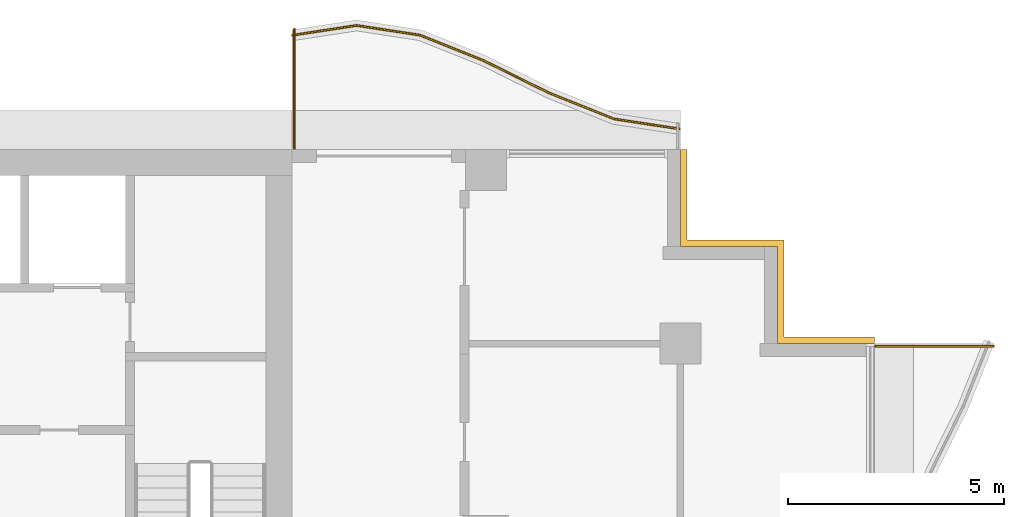
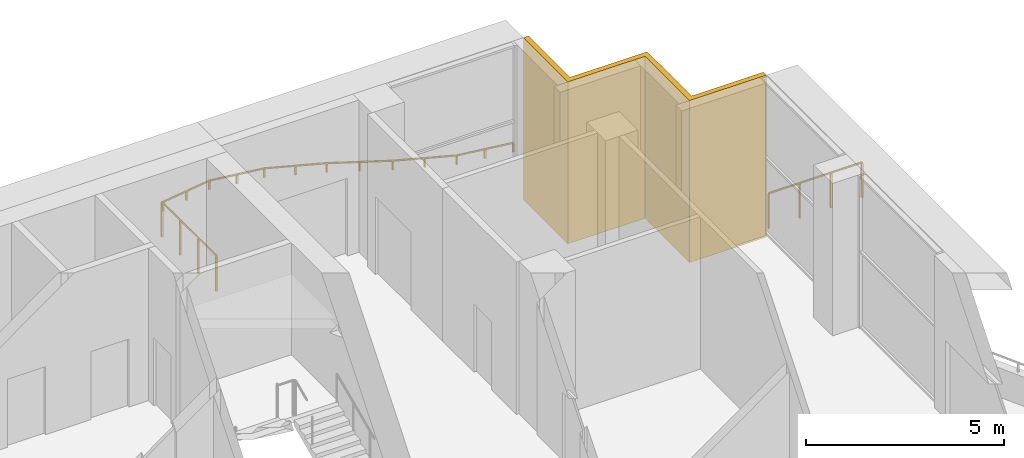
# One storey, part 15 of 15: 3 railings, 1 shading device.
"""IFC4 building model written with IfcOpenShell, lengths in metres."""

from ifc_helpers import new_model, si_unit, direction, frame, origin, origin_2d, place, context, subcontext, project, spatial, polyline, rectangle, outline, extrude, material, layer, layer_set, type_object, element, save


model = new_model("IFC4")

# Units and contexts
model_context = context("Model", 3, precision=1e-05, world=origin(), true_north=direction((0.0, 1.0)))
body_context = subcontext(model_context, "Body", "Model", "MODEL_VIEW")
ifc_project = project(units=[si_unit("LENGTHUNIT", "METRE"), si_unit("AREAUNIT", "SQUARE_METRE"), si_unit("VOLUMEUNIT", "CUBIC_METRE"), si_unit("PLANEANGLEUNIT", "RADIAN"), si_unit("MASSUNIT", "GRAM", prefix="KILO")], contexts=[model_context])

# Site, building, storey
site_placement = place(None, origin())
site = spatial("IfcSite", under=ifc_project, at=site_placement, CompositionType="ELEMENT")
building_placement = place(site_placement, origin())
building = spatial("IfcBuilding", under=site, at=building_placement, Name="Orbiselva Terraces", CompositionType="ELEMENT")
storey_placement = place(building_placement, frame((0.0, 0.0, 233.8)))
storey = spatial("IfcBuildingStorey", under=building, at=storey_placement, Name="L59", CompositionType="ELEMENT", Elevation=233.8)

# Railings
ifc_material_1 = material(Name="Bonded two-ply safety glass balustrade, stainless steel posts", Category="steel")
railing_type_1 = type_object("IfcRailingType", Name="ENV-BALUSTRADE-1200", PredefinedType="BALUSTRADE", material=ifc_material_1)
railing_1_placement = place(storey_placement, frame((22.481121, 22.976434, 0.9)))
element("IfcRailing", 1, at=railing_1_placement, inside=storey, type_object=railing_type_1, Name="Balcony balustrade L59 NE", PredefinedType="BALUSTRADE", context=body_context, shape_type="SweptSolid", body=[
    extrude(outline(polyline([(0.028868, 0.0), (0.014434, 0.025), (-0.014434, 0.025), (-0.028868, 0.0), (-0.014434, -0.025), (0.014434, -0.025), (0.028868, 0.0)])), frame((0.0, 0.0, 0.275), z_axis=(-0.988528588529, 0.151033869252, 0.0), x_axis=(-0.151033869252, -0.988528588529, 0.0)), (0.0, 0.0, 1.0), 1.531776),
    extrude(outline(polyline([(0.028868, 0.0), (0.014434, 0.025), (-0.014434, 0.025), (-0.028868, 0.0), (-0.014434, -0.025), (0.014434, -0.025), (0.028868, 0.0)])), frame((-1.514204, 0.23135, 0.275), z_axis=(-0.92847681744, 0.371390359967, 0.0), x_axis=(-0.371390359967, -0.92847681744, 0.0)), (0.0, 0.0, 1.0), 1.634838),
    extrude(outline(polyline([(0.028868, 0.0), (0.014434, 0.025), (-0.014434, 0.025), (-0.028868, 0.0), (-0.014434, -0.025), (0.014434, -0.025), (0.028868, 0.0)])), frame((-3.032113, 0.838513, 0.275), z_axis=(-0.896416672454, 0.443212307306, 0.0), x_axis=(-0.443212307306, -0.896416672454, 0.0)), (0.0, 0.0, 1.0), 1.673329),
    extrude(outline(polyline([(0.028868, 0.0), (0.014434, 0.025), (-0.014434, 0.025), (-0.028868, 0.0), (-0.014434, -0.025), (0.014434, -0.025), (0.028868, 0.0)])), frame((-4.532113, 1.580153, 0.275), z_axis=(-0.928476561272, 0.371391000387, 0.0), x_axis=(-0.371391000387, -0.928476561272, 0.0)), (0.0, 0.0, 1.0), 1.596261),
    extrude(outline(polyline([(0.028868, 0.0), (0.014434, 0.025), (-0.014434, 0.025), (-0.028868, 0.0), (-0.014434, -0.025), (0.014434, -0.025), (0.028868, 0.0)])), frame((-6.014204, 2.17299, 0.275), z_axis=(-0.988528606898, 0.151033749027, 0.0), x_axis=(-0.151033749027, -0.988528606898, 0.0)), (0.0, 0.0, 1.0), 1.48394),
    extrude(outline(polyline([(0.028868, 0.0), (0.014434, 0.025), (-0.014434, 0.025), (-0.028868, 0.0), (-0.014434, -0.025), (0.014434, -0.025), (0.028868, 0.0)])), frame((-7.481121, 2.397115, 0.275), z_axis=(-0.988528624669, -0.151033632714, 0.0), x_axis=(0.151033632714, -0.988528624669, 0.0)), (0.0, 0.0, 1.0), 1.498309),
    extrude(rectangle(XDim=0.05, YDim=0.05, at=origin_2d()), origin(), (0.0, 0.0, 1.0), 0.25),
    extrude(rectangle(XDim=0.05, YDim=0.05, at=origin_2d()), frame((-0.757102, 0.115675, 0.0)), (0.0, 0.0, 1.0), 0.25),
    extrude(rectangle(XDim=0.05, YDim=0.05, at=origin_2d()), frame((-1.514204, 0.23135, 0.0)), (0.0, 0.0, 1.0), 0.25),
    extrude(rectangle(XDim=0.05, YDim=0.05, at=origin_2d()), frame((-2.273159, 0.534931, 0.0)), (0.0, 0.0, 1.0), 0.25),
    extrude(rectangle(XDim=0.05, YDim=0.05, at=origin_2d()), frame((-3.032113, 0.838513, 0.0)), (0.0, 0.0, 1.0), 0.25),
    extrude(rectangle(XDim=0.05, YDim=0.05, at=origin_2d()), frame((-3.782113, 1.209333, 0.0)), (0.0, 0.0, 1.0), 0.25),
    extrude(rectangle(XDim=0.05, YDim=0.05, at=origin_2d()), frame((-4.532113, 1.580153, 0.0)), (0.0, 0.0, 1.0), 0.25),
    extrude(rectangle(XDim=0.05, YDim=0.05, at=origin_2d()), frame((-5.273159, 1.876571, 0.0)), (0.0, 0.0, 1.0), 0.25),
    extrude(rectangle(XDim=0.05, YDim=0.05, at=origin_2d()), frame((-6.014204, 2.17299, 0.0)), (0.0, 0.0, 1.0), 0.25),
    extrude(rectangle(XDim=0.05, YDim=0.05, at=origin_2d()), frame((-6.747663, 2.285052, 0.0)), (0.0, 0.0, 1.0), 0.25),
    extrude(rectangle(XDim=0.05, YDim=0.05, at=origin_2d()), frame((-7.481121, 2.397115, 0.0)), (0.0, 0.0, 1.0), 0.25),
    extrude(rectangle(XDim=0.05, YDim=0.05, at=origin_2d()), frame((-8.221682, 2.283967, 0.0)), (0.0, 0.0, 1.0), 0.25),
    extrude(rectangle(XDim=0.05, YDim=0.05, at=origin_2d()), frame((-8.962242, 2.17082, 0.0)), (0.0, 0.0, 1.0), 0.25),
])
ifc_material_2 = material(Name="Stainless steel rail and posts", Category="steel")
railing_type_2 = type_object("IfcRailingType", Name="ENV-GUARD-1105", PredefinedType="BALUSTRADE", material=ifc_material_2)
railing_2_placement = place(storey_placement, frame((29.752788, 17.94, 0.0)))
element("IfcRailing", 2, at=railing_2_placement, inside=storey, type_object=railing_type_2, Name="Balcony end guard L59 E", PredefinedType="BALUSTRADE", context=body_context, shape_type="SweptSolid", body=[
    extrude(outline(polyline([(0.028868, 0.0), (0.014434, 0.025), (-0.014434, 0.025), (-0.028868, 0.0), (-0.014434, -0.025), (0.014434, -0.025), (0.028868, 0.0)])), frame((0.0, 0.0, 1.08), z_axis=(-1.0, 0.0, 0.0), x_axis=(0.0, -1.0, 0.0)), (0.0, 0.0, 1.0), 2.727788),
    extrude(rectangle(XDim=0.05, YDim=0.05, at=origin_2d()), origin(), (0.0, 0.0, 1.0), 1.055),
    extrude(rectangle(XDim=0.05, YDim=0.05, at=origin_2d()), frame((-0.909263, 0.0, 0.0)), (0.0, 0.0, 1.0), 1.055),
    extrude(rectangle(XDim=0.05, YDim=0.05, at=origin_2d()), frame((-1.818525, 0.0, 0.0)), (0.0, 0.0, 1.0), 1.055),
    extrude(rectangle(XDim=0.05, YDim=0.05, at=origin_2d()), frame((-2.727788, 0.0, 0.0)), (0.0, 0.0, 1.0), 1.055),
])
railing_3_placement = place(storey_placement, frame((13.56, 25.288239, 0.0)))
element("IfcRailing", 3, at=railing_3_placement, inside=storey, type_object=railing_type_2, Name="Balcony end guard L59 NE", PredefinedType="BALUSTRADE", context=body_context, shape_type="SweptSolid", body=[
    extrude(outline(polyline([(0.028868, 0.0), (0.014434, 0.025), (-0.014434, 0.025), (-0.028868, 0.0), (-0.014434, -0.025), (0.014434, -0.025), (0.028868, 0.0)])), frame((0.0, 0.0, 1.08), z_axis=(0.0, -1.0, 0.0), x_axis=(1.0, 0.0, 0.0)), (0.0, 0.0, 1.0), 2.763239),
    extrude(rectangle(XDim=0.05, YDim=0.05, at=origin_2d()), origin(), (0.0, 0.0, 1.0), 1.055),
    extrude(rectangle(XDim=0.05, YDim=0.05, at=origin_2d()), frame((0.0, -0.92108, 0.0)), (0.0, 0.0, 1.0), 1.055),
    extrude(rectangle(XDim=0.05, YDim=0.05, at=origin_2d()), frame((0.0, -1.842159, 0.0)), (0.0, 0.0, 1.0), 1.055),
    extrude(rectangle(XDim=0.05, YDim=0.05, at=origin_2d()), frame((0.0, -2.763239, 0.0)), (0.0, 0.0, 1.0), 1.055),
])

# Shading device
ifc_material_3 = material(Name="Terracotta louvre screen", Category="masonry")
ifc_layer = layer(ifc_material_3, 0.15)
ifc_layer_set = layer_set([ifc_layer], Name="Terracotta louvre screen")
shading_device_type = type_object("IfcShadingDeviceType", Name="ENV-SCREEN-150", PredefinedType="USERDEFINED", material=ifc_layer_set)
shading_device_placement = place(storey_placement, frame((0.0, 0.0, -0.3)))
element("IfcShadingDevice", 4, at=shading_device_placement, inside=storey, type_object=shading_device_type, Name="Louvre screen L59 NE", ObjectType="SCREEN", PredefinedType="USERDEFINED", context=body_context, shape_type="SweptSolid", body=[
    extrude(outline(polyline([(27.0, 18.15), (24.9, 18.15), (24.9, 20.4), (22.65, 20.4), (22.65, 22.5), (22.5, 22.5), (22.5, 20.25), (24.75, 20.25), (24.75, 18.0), (27.0, 18.0), (27.0, 18.15)])), origin(), (0.0, 0.0, 1.0), 5.0),
])

save(model, "model.ifc")
